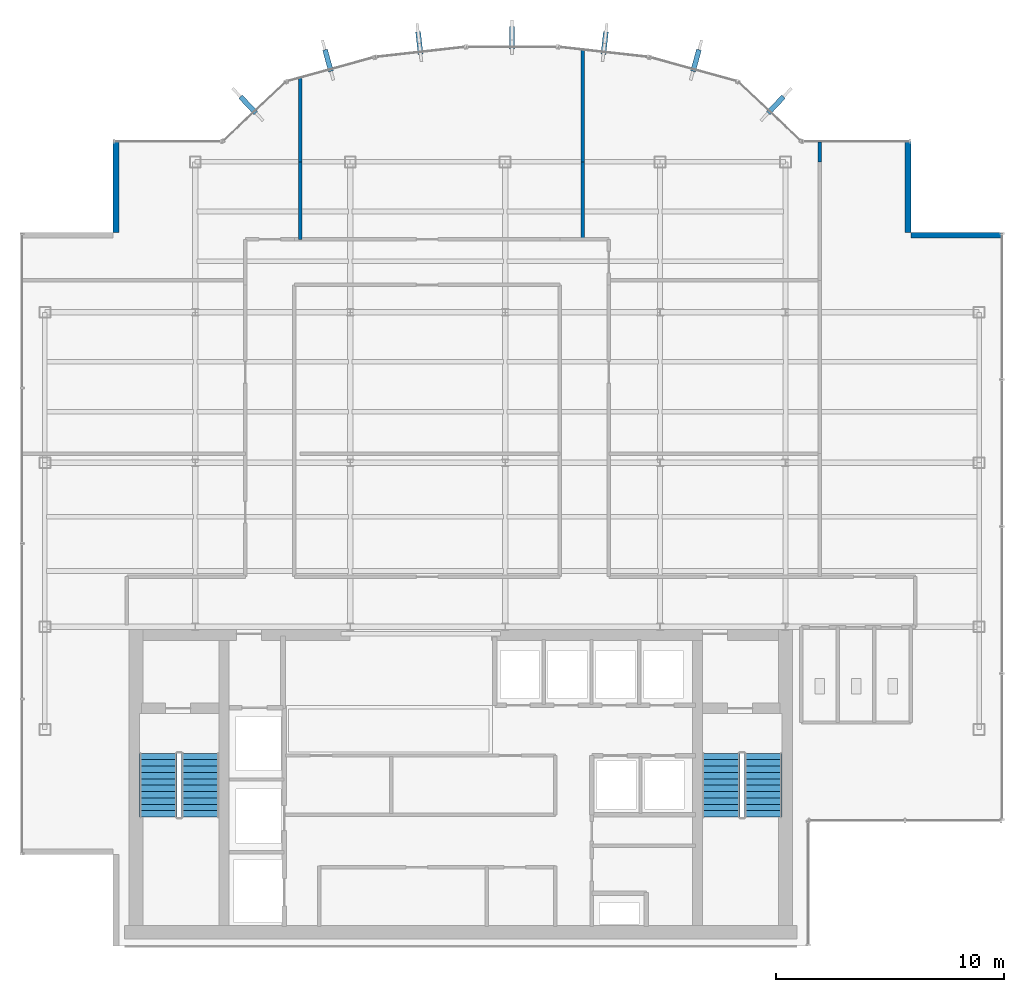
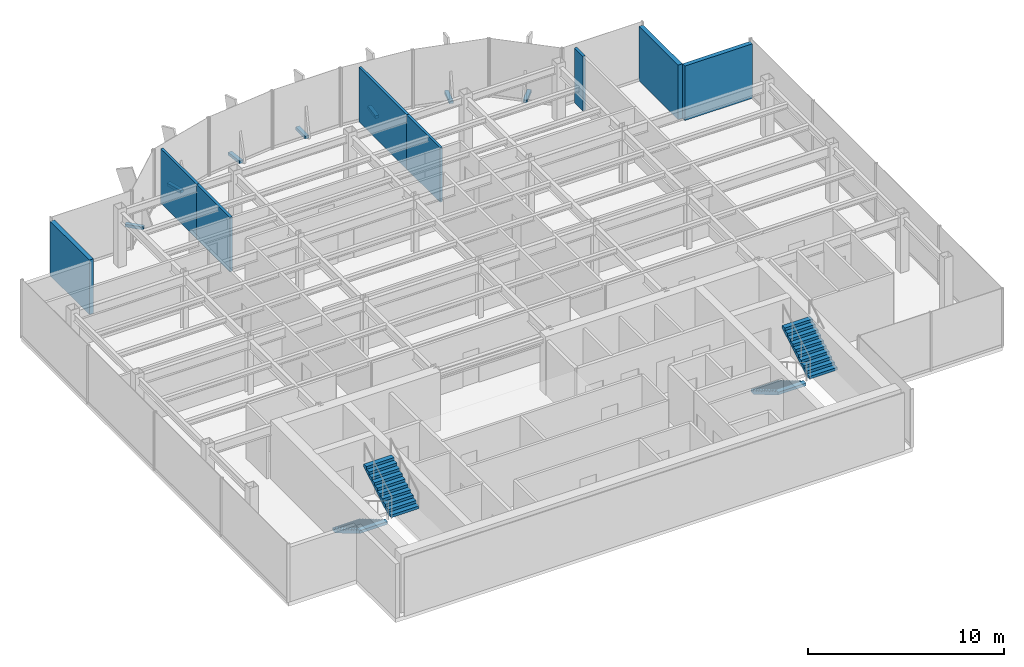
# One storey, part 19 of 22: 8 walls, 7 discrete accessories, 4 stair flights, 2 elements without a shape of their own.
"""IFC4 building model written with IfcOpenShell, lengths in metres."""

from ifc_helpers import new_model, si_unit, derived_unit, direction, frame, frame_2d, origin, origin_2d, place, context, subcontext, project, spatial, polyline, rectangle, outline, extrude, source, transform, mapped, material, layer, layer_set, type_object, element, aggregate, save


model = new_model("IFC4")

# Units and contexts
model_context = context("Model", 3, precision=1e-05, world=origin(), true_north=direction((0.0, 1.0)))
body_context = subcontext(model_context, "Body", "Model", "MODEL_VIEW")
ifc_project = project(units=[si_unit("LENGTHUNIT", "METRE"), si_unit("AREAUNIT", "SQUARE_METRE"), si_unit("VOLUMEUNIT", "CUBIC_METRE"), si_unit("PLANEANGLEUNIT", "RADIAN"), si_unit("MASSUNIT", "GRAM", prefix="KILO"), derived_unit("THERMALTRANSMITTANCEUNIT", [(si_unit("POWERUNIT", "WATT"), 1), (si_unit("LENGTHUNIT", "METRE"), -2), (si_unit("THERMODYNAMICTEMPERATUREUNIT", "KELVIN"), -1)])], contexts=[model_context])

# Site, building, storey
site_placement = place(None, origin())
site = spatial("IfcSite", under=ifc_project, at=site_placement, CompositionType="ELEMENT")
building_placement = place(site_placement, origin())
building = spatial("IfcBuilding", under=site, at=building_placement, Name="Skarnbrae Concourse Arena and Tower", CompositionType="ELEMENT")
storey_placement = place(building_placement, frame((0.0, 0.0, 277.050048828125)))
storey = spatial("IfcBuildingStorey", under=building, at=storey_placement, Name="L72", CompositionType="ELEMENT", Elevation=277.050048828125)

# Walls
ifc_material_1 = material(Name="Precast concrete 40 MPa (C40/50)", Category="concrete")
ifc_layer_1 = layer(ifc_material_1, 0.25)
ifc_layer_set_1 = layer_set([ifc_layer_1], Name="Precast concrete 40 MPa (C40/50)")
wall_type_1 = type_object("IfcWallType", Name="WALL-EXT-SPANDREL-250", PredefinedType="STANDARD", material=ifc_layer_set_1)
shared_shape_1 = source(origin(), body_context, "Body", "SweptSolid", [
    extrude(rectangle(XDim=4.0, YDim=0.25, at=frame_2d((2.0, 0.0))), origin(), (0.0, 0.0, 1.0), 3.39990234375),
])
for number, where, z_axis, x_axis, name in (
    (1, (43.0, 31.175048828125, 0.0), (0.0, 0.0, 1.0), (-1.0, 0.0, 0.0), "L72 Notched corner insulated return wall 05"),
    (2, (38.875, 31.300048828125, 0.0), (0.0, 0.0, 1.0), (0.0, 1.0, 0.0), "L72 Notched corner insulated return wall 06"),
    (3, (4.125, 35.300048828125, 0.0), (0.0, 0.0, 1.0), (0.0, -1.0, 0.0), "L72 Notched corner insulated return wall 16"),
):
    element("IfcWall", number, at=place(storey_placement, frame(where, z_axis=z_axis, x_axis=x_axis)), inside=storey, type_object=wall_type_1, Name=name, PredefinedType="STANDARD", context=body_context, shape_type="MappedRepresentation", body=[
        mapped(shared_shape_1, transform((0.0, 0.0, 0.0))),
    ])
ifc_material_2 = material(Name="Gypsum board on cold-formed steel studs", Category="steel")
ifc_layer_2 = layer(ifc_material_2, 0.14990234375)
ifc_layer_set_2 = layer_set([ifc_layer_2], Name="Gypsum board on cold-formed steel studs")
wall_type_2 = type_object("IfcWallType", Name="WALL-PART-150", PredefinedType="PARTITIONING", material=ifc_layer_set_2)
shared_shape_2 = source(origin(), body_context, "Body", "SweptSolid", [
    extrude(rectangle(XDim=3.39990234375, YDim=0.14990234375, at=frame_2d((1.699951171875, 0.0))), origin(), (0.0, 0.0, 1.0), 3.39990234375),
])
for number, where, z_axis, x_axis, name in (
    (4, (12.199951171875, 34.39990234375, 0.0), (0.0, 0.0, 1.0), (0.0, -1.0, 0.0), "L72 Interior partition wall W-L72-DEM-21"),
    (5, (24.60009765625, 34.39990234375, 0.0), (0.0, 0.0, 1.0), (0.0, -1.0, 0.0), "L72 Interior partition wall W-L72-DEM-23"),
):
    element("IfcWall", number, at=place(storey_placement, frame(where, z_axis=z_axis, x_axis=x_axis)), inside=storey, type_object=wall_type_2, Name=name, PredefinedType="PARTITIONING", context=body_context, shape_type="MappedRepresentation", body=[
        mapped(shared_shape_2, transform((0.0, 0.0, 0.0))),
    ])
shared_shape_3 = source(origin(), body_context, "Body", "SweptSolid", [
    extrude(rectangle(XDim=3.674072265625, YDim=0.14990234375, at=frame_2d((1.8369140625, 0.0))), origin(), (0.0, 0.0, 1.0), 3.39990234375),
])
wall_1_placement = place(storey_placement, frame((12.199951171875, 38.073974609375, 0.0), z_axis=(0.0, 0.0, 1.0), x_axis=(0.0, -1.0, 0.0)))
element("IfcWall", 6, at=wall_1_placement, inside=storey, type_object=wall_type_2, Name="L72 Interior partition wall W-L72-DEM-20", PredefinedType="PARTITIONING", context=body_context, shape_type="MappedRepresentation", body=[
    mapped(shared_shape_3, transform((0.0, 0.0, 0.0))),
])
shared_shape_4 = source(origin(), body_context, "Body", "SweptSolid", [
    extrude(rectangle(XDim=4.9052734375, YDim=0.14990234375, at=frame_2d((2.45263671875, 0.0))), origin(), (0.0, 0.0, 1.0), 3.39990234375),
])
wall_2_placement = place(storey_placement, frame((24.60009765625, 39.30517578125, 0.0), z_axis=(0.0, 0.0, 1.0), x_axis=(0.0, -1.0, 0.0)))
element("IfcWall", 7, at=wall_2_placement, inside=storey, type_object=wall_type_2, Name="L72 Interior partition wall W-L72-DEM-22", PredefinedType="PARTITIONING", context=body_context, shape_type="MappedRepresentation", body=[
    mapped(shared_shape_4, transform((0.0, 0.0, 0.0))),
])
shared_shape_5 = source(origin(), body_context, "Body", "SweptSolid", [
    extrude(rectangle(XDim=0.880126953125, YDim=0.14990234375, at=frame_2d((0.43994140625, 0.0))), origin(), (0.0, 0.0, 1.0), 3.39990234375),
])
wall_3_placement = place(storey_placement, frame((35.0, 35.280029296875, 0.0), z_axis=(0.0, 0.0, 1.0), x_axis=(0.0, -1.0, 0.0)))
element("IfcWall", 8, at=wall_3_placement, inside=storey, type_object=wall_type_2, Name="L72 Interior partition wall W-L72-DEM-28", PredefinedType="PARTITIONING", context=body_context, shape_type="MappedRepresentation", body=[
    mapped(shared_shape_5, transform((0.0, 0.0, 0.0))),
])

# Stair, stair flights
ifc_material_3 = material(Name="Concrete 40 MPa (C40/50)", Category="concrete")
stair_type = type_object("IfcStairType", Name="STAIR-DOGLEG-1650", PredefinedType="HALF_TURN_STAIR", material=ifc_material_3)
stair_1_placement = place(storey_placement, origin())
stair_1 = element("IfcStair", 9, at=stair_1_placement, inside=storey, type_object=stair_type, Name="L72 Protected Exit Stair ST-1", PredefinedType="HALF_TURN_STAIR")
stair_flight_type = type_object("IfcStairFlightType", Name="FLIGHT-STRAIGHT-1650", PredefinedType="STRAIGHT", material=ifc_material_3)
shared_shape_6 = source(origin(), body_context, "Body", "SweptSolid", [
    extrude(outline(polyline([(0.0, 0.0), (0.0, 0.166015625), (0.280029296875, 0.166015625), (0.280029296875, 0.331787109375), (0.56005859375, 0.331787109375), (0.56005859375, 0.497802734375), (0.840087890625, 0.497802734375), (0.840087890625, 0.66357421875), (1.1201171875, 0.66357421875), (1.1201171875, 0.82958984375), (1.39990234375, 0.82958984375), (1.39990234375, 0.995361328125), (1.679931640625, 0.995361328125), (1.679931640625, 1.161376953125), (1.9599609375, 1.161376953125), (1.9599609375, 1.327392578125), (2.239990234375, 1.327392578125), (2.239990234375, 1.4931640625), (2.52001953125, 1.4931640625), (2.52001953125, 1.6591796875), (2.800048828125, 1.6591796875), (2.800048828125, 1.824951171875), (2.800048828125, 1.48486328125), (0.2939453125, 0.0), (0.0, 0.0)])), frame((0.0, 0.824951171875, 0.0), z_axis=(0.0, -1.0, 0.0), x_axis=(1.0, 0.0, 0.0)), (0.0, 0.0, 1.0), 1.64990234375),
])
stair_flight_1_placement = place(storey_placement, frame((5.97509765625, 8.449951171875, 0.0), z_axis=(0.0, 0.0, 1.0), x_axis=(0.0, -1.0, 0.0)))
stair_flight_1 = element("IfcStairFlight", 10, at=stair_flight_1_placement, type_object=stair_flight_type, Name="ST-1 flight 1", NumberOfRisers=11, NumberOfTreads=10, PredefinedType="STRAIGHT", RiserHeight=0.165909091, TreadLength=0.28, context=body_context, shape_type="MappedRepresentation", body=[
    mapped(shared_shape_6, transform((0.0, 0.0, 0.0))),
])
stair_flight_2_placement = place(storey_placement, frame((7.824951171875, 5.64990234375, 1.824951171875), z_axis=(0.0, 0.0, 1.0), x_axis=(0.0, 1.0, 0.0)))
stair_flight_2 = element("IfcStairFlight", 11, at=stair_flight_2_placement, type_object=stair_flight_type, Name="ST-1 flight 2", NumberOfRisers=11, NumberOfTreads=10, PredefinedType="STRAIGHT", RiserHeight=0.165909091, TreadLength=0.28, context=body_context, shape_type="MappedRepresentation", body=[
    mapped(shared_shape_6, transform((0.0, 0.0, 0.0))),
])
aggregate(stair_1, [stair_flight_1, stair_flight_2])

stair_2_placement = place(storey_placement, origin())
stair_2 = element("IfcStair", 12, at=stair_2_placement, inside=storey, type_object=stair_type, Name="L72 Protected Exit Stair ST-2", PredefinedType="HALF_TURN_STAIR")
stair_flight_3_placement = place(storey_placement, frame((30.675048828125, 8.449951171875, 0.0), z_axis=(0.0, 0.0, 1.0), x_axis=(0.0, -1.0, 0.0)))
stair_flight_3 = element("IfcStairFlight", 13, at=stair_flight_3_placement, type_object=stair_flight_type, Name="ST-2 flight 1", NumberOfRisers=11, NumberOfTreads=10, PredefinedType="STRAIGHT", RiserHeight=0.165909091, TreadLength=0.28, context=body_context, shape_type="MappedRepresentation", body=[
    mapped(shared_shape_6, transform((0.0, 0.0, 0.0))),
])
stair_flight_4_placement = place(storey_placement, frame((32.52490234375, 5.64990234375, 1.824951171875), z_axis=(0.0, 0.0, 1.0), x_axis=(0.0, 1.0, 0.0)))
stair_flight_4 = element("IfcStairFlight", 14, at=stair_flight_4_placement, type_object=stair_flight_type, Name="ST-2 flight 2", NumberOfRisers=11, NumberOfTreads=10, PredefinedType="STRAIGHT", RiserHeight=0.165909091, TreadLength=0.28, context=body_context, shape_type="MappedRepresentation", body=[
    mapped(shared_shape_6, transform((0.0, 0.0, 0.0))),
])
aggregate(stair_2, [stair_flight_3, stair_flight_4])

# Discrete accessories
ifc_material_4 = material(Name="Bronze anodised aluminium 6063-T6", Category="aluminium")
discrete_accessory_type = type_object("IfcDiscreteAccessoryType", Name="ACC-FIN-BRACKET", PredefinedType="BRACKET", material=ifc_material_4)
shared_shape_7 = source(origin(), body_context, "Body", "SweptSolid", [
    extrude(rectangle(XDim=0.219970703125, YDim=0.97998046875, at=origin_2d()), origin(), (0.0, 0.0, 1.0), 0.179931640625),
])
for number, where, z_axis, x_axis, name in (
    (15, (33.0791015625, 36.904541015625, -0.02978515625), (0.0, 0.0, 1.0), (0.728131751529, -0.685437198009, 0.0), "L72 Bronze fin foot support bracket 08"),
    (16, (29.573974609375, 38.847412109375, -0.02978515625), (0.0, 0.0, 1.0), (0.964058316208, -0.265690728011, 0.0), "L72 Bronze fin foot support bracket 09"),
    (17, (25.566162109375, 39.619384765625, -0.02978515625), (0.0, 0.0, 1.0), (0.993769864509, -0.111451587667, 0.0), "L72 Bronze fin foot support bracket 10"),
    (18, (21.5, 39.8466796875, -0.02978515625), (0.0, 0.0, 1.0), (1.0, 0.0, 0.0), "L72 Bronze fin foot support bracket 11"),
    (19, (17.433837890625, 39.619384765625, -0.02978515625), (0.0, 0.0, 1.0), (0.993769864509, 0.111451587667, 0.0), "L72 Bronze fin foot support bracket 12"),
    (20, (13.426025390625, 38.847412109375, -0.02978515625), (0.0, 0.0, 1.0), (0.964058316208, 0.265690728011, 0.0), "L72 Bronze fin foot support bracket 13"),
    (21, (9.9208984375, 36.904541015625, -0.02978515625), (0.0, 0.0, 1.0), (0.728131751529, 0.685437198009, 0.0), "L72 Bronze fin foot support bracket 14"),
):
    element("IfcDiscreteAccessory", number, at=place(storey_placement, frame(where, z_axis=z_axis, x_axis=x_axis)), inside=storey, type_object=discrete_accessory_type, Name=name, PredefinedType="BRACKET", context=body_context, shape_type="MappedRepresentation", body=[
        mapped(shared_shape_7, transform((0.0, 0.0, 0.0))),
    ])

save(model, "model.ifc")
